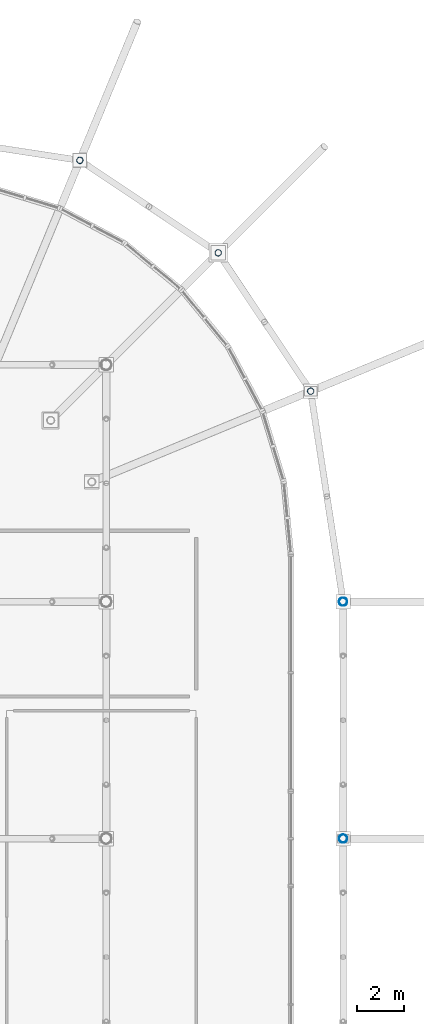
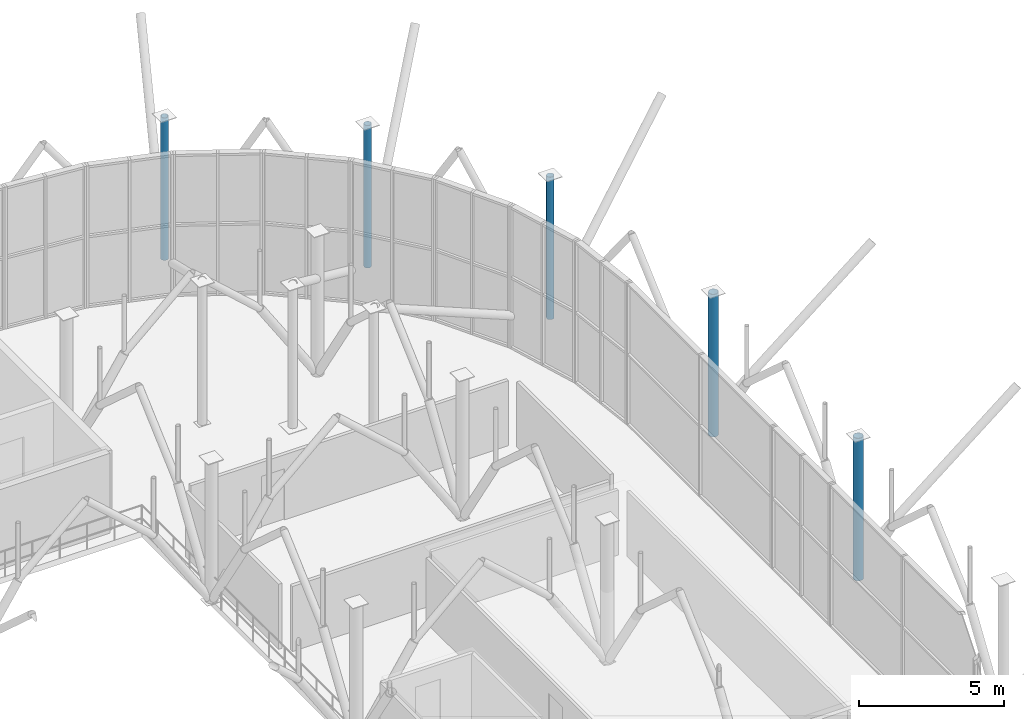
# One storey, part 14 of 109: 5 columns.
"""IFC4 building model written with IfcOpenShell, lengths in metres."""

from ifc_helpers import new_model, si_unit, derived_unit, direction, frame, origin, origin_2d_with_axis, place, context, subcontext, project, spatial, hollow_circle, extrude, material, material_profile, profile_set, type_object, element, save


model = new_model("IFC4")

# Units and contexts
model_context = context("Model", 3, precision=1e-05, world=origin(), true_north=direction((0.0, 1.0)))
body_context = subcontext(model_context, "Body", "Model", "MODEL_VIEW")
ifc_project = project(units=[si_unit("LENGTHUNIT", "METRE"), si_unit("AREAUNIT", "SQUARE_METRE"), si_unit("VOLUMEUNIT", "CUBIC_METRE"), si_unit("PLANEANGLEUNIT", "RADIAN"), si_unit("MASSUNIT", "GRAM", prefix="KILO"), derived_unit("THERMALTRANSMITTANCEUNIT", [(si_unit("POWERUNIT", "WATT"), 1), (si_unit("LENGTHUNIT", "METRE"), -2), (si_unit("THERMODYNAMICTEMPERATUREUNIT", "KELVIN"), -1)])], contexts=[model_context])

# Site, building, storey
site_placement = place(None, origin())
site = spatial("IfcSite", under=ifc_project, at=site_placement, CompositionType="ELEMENT")
building_placement = place(site_placement, origin())
building = spatial("IfcBuilding", under=site, at=building_placement, Name="Cinnabar Yard Market Hall", CompositionType="ELEMENT")
storey_placement = place(building_placement, frame((0.0, 0.0, 8.39990234375)))
storey = spatial("IfcBuildingStorey", under=building, at=storey_placement, Name="L02", CompositionType="ELEMENT", Elevation=8.39990234375)

# Columns
ifc_material = material(Name="Spotted-gum glulam-clad steel Grade 350 (350 MPa)", Category="steel")
ifc_material_profile_1 = material_profile(ifc_material, hollow_circle(Radius=0.177734375, WallThickness=0.0126953125, at=origin_2d_with_axis()), Name="355.6x12.7CHS")
ifc_profile_set_1 = profile_set([ifc_material_profile_1], Name="Spotted-gum glulam-clad steel Grade 350 (350 MPa)")
column_type_1 = type_object("IfcColumnType", Name="COL-C02E", PredefinedType="COLUMN", material=ifc_profile_set_1)
for number, where, z_axis, x_axis, name in (
    (1, (166.0, 44.0, 0.0), (0.0, 0.0, 1.0), (1.0, 0.0, 0.0), "Tree Column V1E-02 L02"),
    (2, (166.0, 54.0, 0.0), (0.0, 0.0, 1.0), (1.0, 0.0, 0.0), "Tree Column V1E-03 L02"),
):
    element("IfcColumn", number, at=place(storey_placement, frame(where, z_axis=z_axis, x_axis=x_axis)), inside=storey, type_object=column_type_1, Name=name, PredefinedType="COLUMN", context=body_context, shape_type="SweptSolid", body=[
        extrude(hollow_circle(Radius=0.177734375, WallThickness=0.0126953125, at=origin_2d_with_axis()), origin(), (0.0, 0.0, 1.0), 6.0),
    ])
ifc_material_profile_2 = material_profile(ifc_material, hollow_circle(Radius=0.136474609375, WallThickness=0.00927734375, at=origin_2d_with_axis()), Name="273.1x9.3CHS")
ifc_profile_set_2 = profile_set([ifc_material_profile_2], Name="Spotted-gum glulam-clad steel Grade 350 (350 MPa)")
column_type_2 = type_object("IfcColumnType", Name="COL-C04E", PredefinedType="COLUMN", material=ifc_profile_set_2)
for number, where, z_axis, x_axis, name in (
    (3, (164.6298828125, 62.88818359375, 0.0), (0.0, 0.0, 1.0), (1.0, 0.0, 0.0), "Tree Column V1C-NE2 L02"),
    (4, (160.727783203125, 68.727783203125, 0.0), (0.0, 0.0, 1.0), (1.0, 0.0, 0.0), "Tree Column V1C-NE4 L02"),
    (5, (154.88818359375, 72.6298828125, 0.0), (0.0, 0.0, 1.0), (1.0, 0.0, 0.0), "Tree Column V1C-NE6 L02"),
):
    element("IfcColumn", number, at=place(storey_placement, frame(where, z_axis=z_axis, x_axis=x_axis)), inside=storey, type_object=column_type_2, Name=name, PredefinedType="COLUMN", context=body_context, shape_type="SweptSolid", body=[
        extrude(hollow_circle(Radius=0.136474609375, WallThickness=0.00927734375, at=origin_2d_with_axis()), origin(), (0.0, 0.0, 1.0), 6.0),
    ])

save(model, "model.ifc")
